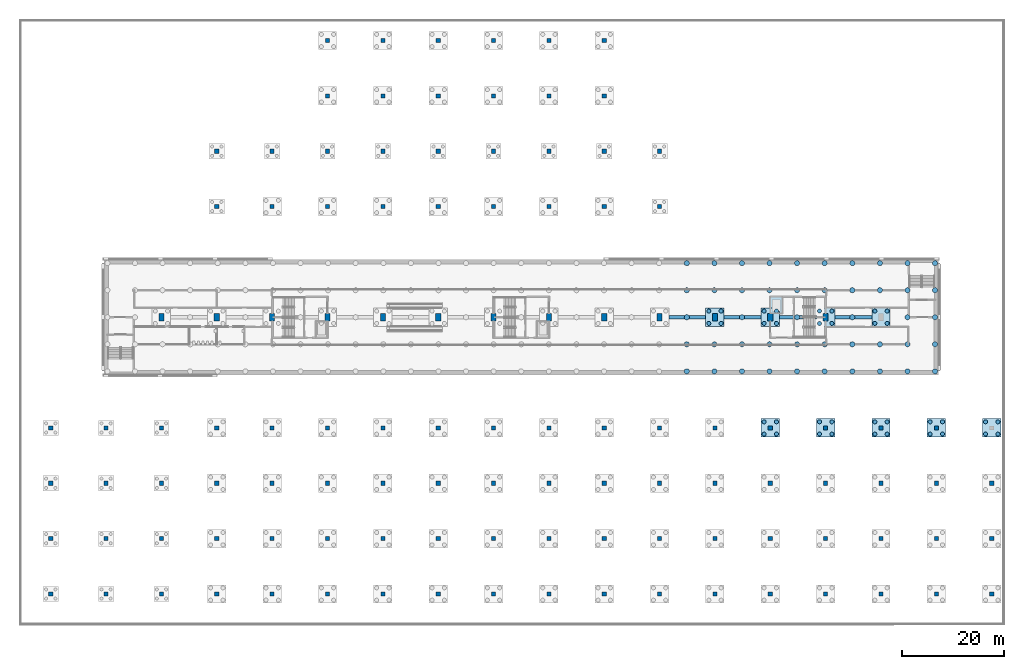
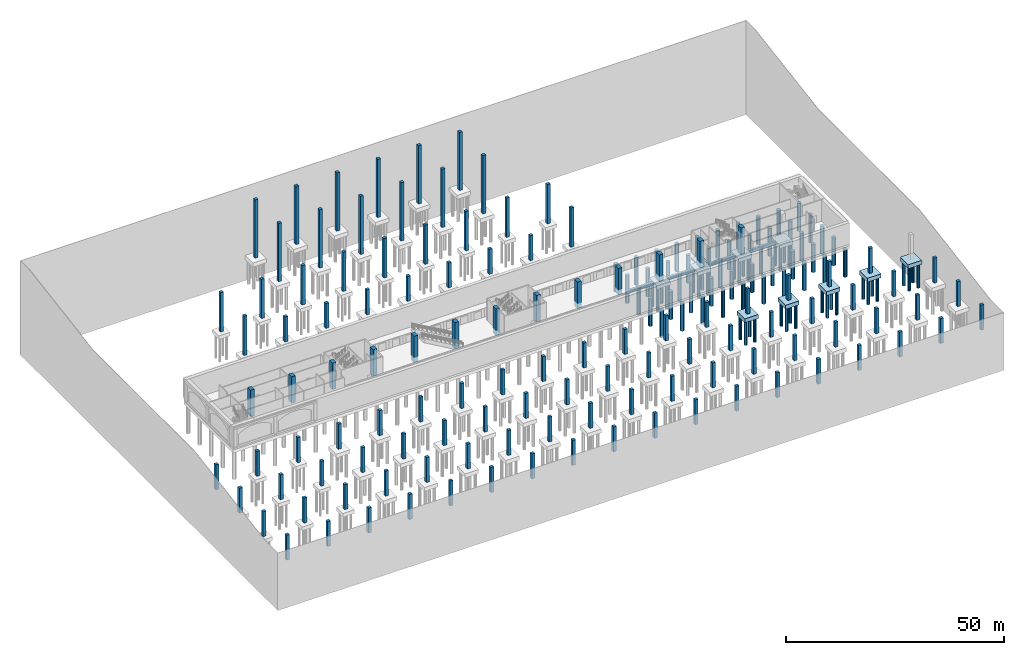
# One storey, part 4 of 39: 114 columns, 82 piles, 14 footings.
"""IFC4 building model written with IfcOpenShell, lengths in metres."""

from ifc_helpers import new_model, si_unit, direction, frame, origin, origin_2d, place, context, subcontext, project, spatial, polyline, rectangle, circle, outline, extrude, material, layer, layer_set, material_profile, profile_set, type_object, element, save


model = new_model("IFC4")

# Units and contexts
model_context = context("Model", 3, precision=1e-05, world=origin(), true_north=direction((0.0, 1.0)))
body_context = subcontext(model_context, "Body", "Model", "MODEL_VIEW")
ifc_project = project(units=[si_unit("LENGTHUNIT", "METRE"), si_unit("AREAUNIT", "SQUARE_METRE"), si_unit("VOLUMEUNIT", "CUBIC_METRE"), si_unit("PLANEANGLEUNIT", "RADIAN"), si_unit("MASSUNIT", "GRAM", prefix="KILO")], contexts=[model_context])

# Site, building, storey
site_placement = place(None, origin())
site = spatial("IfcSite", under=ifc_project, at=site_placement, CompositionType="ELEMENT")
building_placement = place(site_placement, origin())
building = spatial("IfcBuilding", under=site, at=building_placement, Name="Magnolia Steps Interchange", CompositionType="ELEMENT")
storey_placement = place(building_placement, frame((0.0, 0.0, -11.39990234375)))
storey = spatial("IfcBuildingStorey", under=building, at=storey_placement, Name="B2", CompositionType="ELEMENT", Elevation=-11.39990234375)

# Piles
ifc_material_1 = material(Name="Concrete C35", Category="concrete")
ifc_material_profile_1 = material_profile(ifc_material_1, circle(Radius=0.5, at=origin_2d()), Name="Bored pile 1000")
ifc_profile_set_1 = profile_set([ifc_material_profile_1], Name="Concrete C35")
pile_type_1 = type_object("IfcPileType", Name="Bored pile 1000", PredefinedType="BORED", material=ifc_profile_set_1)
for number, where, z_axis, x_axis, name in (
    (1, (134.10009765625, 53.449951171875, -1.300048828125), (0.0, 0.0, -1.0), (1.0, 0.0, 0.0), "Raft pile 22-1"),
    (2, (134.10009765625, 58.72509765625, -1.300048828125), (0.0, 0.0, -1.0), (1.0, 0.0, 0.0), "Raft pile 22-2"),
    (3, (134.10009765625, 64.0, -1.300048828125), (0.0, 0.0, -1.0), (1.0, 0.0, 0.0), "Raft pile 22-3"),
    (4, (134.10009765625, 69.27490234375, -1.300048828125), (0.0, 0.0, -1.0), (1.0, 0.0, 0.0), "Raft pile 22-4"),
    (5, (134.10009765625, 74.550048828125, -1.300048828125), (0.0, 0.0, -1.0), (1.0, 0.0, 0.0), "Raft pile 22-5"),
    (6, (139.4833984375, 53.449951171875, -1.300048828125), (0.0, 0.0, -1.0), (1.0, 0.0, 0.0), "Raft pile 23-1"),
    (7, (139.4833984375, 58.72509765625, -1.300048828125), (0.0, 0.0, -1.0), (1.0, 0.0, 0.0), "Raft pile 23-2"),
    (8, (139.4833984375, 69.27490234375, -1.300048828125), (0.0, 0.0, -1.0), (1.0, 0.0, 0.0), "Raft pile 23-4"),
    (9, (139.4833984375, 74.550048828125, -1.300048828125), (0.0, 0.0, -1.0), (1.0, 0.0, 0.0), "Raft pile 23-5"),
    (10, (144.86669921875, 53.449951171875, -1.300048828125), (0.0, 0.0, -1.0), (1.0, 0.0, 0.0), "Raft pile 24-1"),
    (11, (144.86669921875, 58.72509765625, -1.300048828125), (0.0, 0.0, -1.0), (1.0, 0.0, 0.0), "Raft pile 24-2"),
    (12, (144.86669921875, 64.0, -1.300048828125), (0.0, 0.0, -1.0), (1.0, 0.0, 0.0), "Raft pile 24-3"),
    (13, (144.86669921875, 69.27490234375, -1.300048828125), (0.0, 0.0, -1.0), (1.0, 0.0, 0.0), "Raft pile 24-4"),
    (14, (144.86669921875, 74.550048828125, -1.300048828125), (0.0, 0.0, -1.0), (1.0, 0.0, 0.0), "Raft pile 24-5"),
    (15, (150.25, 53.449951171875, -1.300048828125), (0.0, 0.0, -1.0), (1.0, 0.0, 0.0), "Raft pile 25-1"),
    (16, (150.25, 58.72509765625, -1.300048828125), (0.0, 0.0, -1.0), (1.0, 0.0, 0.0), "Raft pile 25-2"),
    (17, (150.25, 69.27490234375, -1.300048828125), (0.0, 0.0, -1.0), (1.0, 0.0, 0.0), "Raft pile 25-4"),
    (18, (150.25, 74.550048828125, -1.300048828125), (0.0, 0.0, -1.0), (1.0, 0.0, 0.0), "Raft pile 25-5"),
    (19, (155.63330078125, 53.449951171875, -1.300048828125), (0.0, 0.0, -1.0), (1.0, 0.0, 0.0), "Raft pile 26-1"),
    (20, (155.63330078125, 58.72509765625, -1.300048828125), (0.0, 0.0, -1.0), (1.0, 0.0, 0.0), "Raft pile 26-2"),
    (21, (155.63330078125, 64.0, -1.300048828125), (0.0, 0.0, -1.0), (1.0, 0.0, 0.0), "Raft pile 26-3"),
    (22, (155.63330078125, 69.27490234375, -1.300048828125), (0.0, 0.0, -1.0), (1.0, 0.0, 0.0), "Raft pile 26-4"),
    (23, (155.63330078125, 74.550048828125, -1.300048828125), (0.0, 0.0, -1.0), (1.0, 0.0, 0.0), "Raft pile 26-5"),
    (24, (161.0166015625, 53.449951171875, -1.300048828125), (0.0, 0.0, -1.0), (1.0, 0.0, 0.0), "Raft pile 27-1"),
    (25, (161.0166015625, 58.72509765625, -1.300048828125), (0.0, 0.0, -1.0), (1.0, 0.0, 0.0), "Raft pile 27-2"),
    (26, (161.0166015625, 69.27490234375, -1.300048828125), (0.0, 0.0, -1.0), (1.0, 0.0, 0.0), "Raft pile 27-4"),
    (27, (161.0166015625, 74.550048828125, -1.300048828125), (0.0, 0.0, -1.0), (1.0, 0.0, 0.0), "Raft pile 27-5"),
    (28, (166.39990234375, 53.449951171875, -1.300048828125), (0.0, 0.0, -1.0), (1.0, 0.0, 0.0), "Raft pile 28-1"),
    (29, (166.39990234375, 58.72509765625, -1.300048828125), (0.0, 0.0, -1.0), (1.0, 0.0, 0.0), "Raft pile 28-2"),
    (30, (166.39990234375, 64.0, -1.300048828125), (0.0, 0.0, -1.0), (1.0, 0.0, 0.0), "Raft pile 28-3"),
    (31, (166.39990234375, 69.27490234375, -1.300048828125), (0.0, 0.0, -1.0), (1.0, 0.0, 0.0), "Raft pile 28-4"),
    (32, (166.39990234375, 74.550048828125, -1.300048828125), (0.0, 0.0, -1.0), (1.0, 0.0, 0.0), "Raft pile 28-5"),
    (33, (171.783203125, 53.449951171875, -1.300048828125), (0.0, 0.0, -1.0), (1.0, 0.0, 0.0), "Raft pile 29-1"),
    (34, (171.783203125, 58.72509765625, -1.300048828125), (0.0, 0.0, -1.0), (1.0, 0.0, 0.0), "Raft pile 29-2"),
    (35, (171.783203125, 69.27490234375, -1.300048828125), (0.0, 0.0, -1.0), (1.0, 0.0, 0.0), "Raft pile 29-4"),
    (36, (171.783203125, 74.550048828125, -1.300048828125), (0.0, 0.0, -1.0), (1.0, 0.0, 0.0), "Raft pile 29-5"),
    (37, (177.166748046875, 53.449951171875, -1.300048828125), (0.0, 0.0, -1.0), (1.0, 0.0, 0.0), "Raft pile 30-1"),
    (38, (177.166748046875, 58.72509765625, -1.300048828125), (0.0, 0.0, -1.0), (1.0, 0.0, 0.0), "Raft pile 30-2"),
    (39, (177.166748046875, 64.0, -1.300048828125), (0.0, 0.0, -1.0), (1.0, 0.0, 0.0), "Raft pile 30-3"),
    (40, (177.166748046875, 69.27490234375, -1.300048828125), (0.0, 0.0, -1.0), (1.0, 0.0, 0.0), "Raft pile 30-4"),
    (41, (177.166748046875, 74.550048828125, -1.300048828125), (0.0, 0.0, -1.0), (1.0, 0.0, 0.0), "Raft pile 30-5"),
    (42, (182.550048828125, 53.449951171875, -1.300048828125), (0.0, 0.0, -1.0), (1.0, 0.0, 0.0), "Raft pile 31-1"),
    (43, (182.550048828125, 58.72509765625, -1.300048828125), (0.0, 0.0, -1.0), (1.0, 0.0, 0.0), "Raft pile 31-2"),
    (44, (182.550048828125, 64.0, -1.300048828125), (0.0, 0.0, -1.0), (1.0, 0.0, 0.0), "Raft pile 31-3"),
    (45, (182.550048828125, 69.27490234375, -1.300048828125), (0.0, 0.0, -1.0), (1.0, 0.0, 0.0), "Raft pile 31-4"),
    (46, (182.550048828125, 74.550048828125, -1.300048828125), (0.0, 0.0, -1.0), (1.0, 0.0, 0.0), "Raft pile 31-5"),
):
    element("IfcPile", number, at=place(storey_placement, frame(where, z_axis=z_axis, x_axis=x_axis)), inside=storey, type_object=pile_type_1, Name=name, PredefinedType="BORED", context=body_context, shape_type="SweptSolid", body=[
        extrude(circle(Radius=0.5, at=origin_2d()), origin(), (0.0, 0.0, 1.0), 7.800048828125),
    ])
ifc_material_2 = material(Name="Concrete C35", Category="concrete")
ifc_material_profile_2 = material_profile(ifc_material_2, circle(Radius=0.39990234375, at=origin_2d()), Name="Bored pile 800")
ifc_profile_set_2 = profile_set([ifc_material_profile_2], Name="Concrete C35")
pile_type_2 = type_object("IfcPileType", Name="Bored pile 800", PredefinedType="BORED", material=ifc_profile_set_2)
for number, where, z_axis, x_axis, name in (
    (47, (138.39990234375, 62.800048828125, -2.400146484375), (0.0, 0.0, -1.0), (1.0, 0.0, 0.0), "Bored pile 139.6-64.0-1"),
    (48, (140.800048828125, 62.800048828125, -2.400146484375), (0.0, 0.0, -1.0), (1.0, 0.0, 0.0), "Bored pile 139.6-64.0-2"),
    (49, (140.800048828125, 65.199951171875, -2.400146484375), (0.0, 0.0, -1.0), (1.0, 0.0, 0.0), "Bored pile 139.6-64.0-3"),
    (50, (138.39990234375, 65.199951171875, -2.400146484375), (0.0, 0.0, -1.0), (1.0, 0.0, 0.0), "Bored pile 139.6-64.0-4"),
    (51, (149.199951171875, 62.800048828125, -2.400146484375), (0.0, 0.0, -1.0), (1.0, 0.0, 0.0), "Bored pile 150.4-64.0-1"),
    (52, (151.60009765625, 62.800048828125, -2.400146484375), (0.0, 0.0, -1.0), (1.0, 0.0, 0.0), "Bored pile 150.4-64.0-2"),
    (53, (151.60009765625, 65.199951171875, -2.400146484375), (0.0, 0.0, -1.0), (1.0, 0.0, 0.0), "Bored pile 150.4-64.0-3"),
    (54, (149.199951171875, 65.199951171875, -2.400146484375), (0.0, 0.0, -1.0), (1.0, 0.0, 0.0), "Bored pile 150.4-64.0-4"),
    (55, (160.0, 62.800048828125, -2.400146484375), (0.0, 0.0, -1.0), (1.0, 0.0, 0.0), "Bored pile 161.2-64.0-1"),
    (56, (162.39990234375, 62.800048828125, -2.400146484375), (0.0, 0.0, -1.0), (1.0, 0.0, 0.0), "Bored pile 161.2-64.0-2"),
    (57, (162.39990234375, 65.199951171875, -2.400146484375), (0.0, 0.0, -1.0), (1.0, 0.0, 0.0), "Bored pile 161.2-64.0-3"),
    (58, (160.0, 65.199951171875, -2.400146484375), (0.0, 0.0, -1.0), (1.0, 0.0, 0.0), "Bored pile 161.2-64.0-4"),
    (59, (170.800048828125, 62.800048828125, -2.400146484375), (0.0, 0.0, -1.0), (1.0, 0.0, 0.0), "Bored pile 172.0-64.0-1"),
    (60, (173.199951171875, 62.800048828125, -2.400146484375), (0.0, 0.0, -1.0), (1.0, 0.0, 0.0), "Bored pile 172.0-64.0-2"),
    (61, (173.199951171875, 65.199951171875, -2.400146484375), (0.0, 0.0, -1.0), (1.0, 0.0, 0.0), "Bored pile 172.0-64.0-3"),
    (62, (170.800048828125, 65.199951171875, -2.400146484375), (0.0, 0.0, -1.0), (1.0, 0.0, 0.0), "Bored pile 172.0-64.0-4"),
    (63, (149.199951171875, 41.199951171875, -2.400146484375), (0.0, 0.0, -1.0), (1.0, 0.0, 0.0), "Bored pile 150.4-42.4-1"),
    (64, (151.60009765625, 41.199951171875, -2.400146484375), (0.0, 0.0, -1.0), (1.0, 0.0, 0.0), "Bored pile 150.4-42.4-2"),
    (65, (151.60009765625, 43.60009765625, -2.400146484375), (0.0, 0.0, -1.0), (1.0, 0.0, 0.0), "Bored pile 150.4-42.4-3"),
    (66, (149.199951171875, 43.60009765625, -2.400146484375), (0.0, 0.0, -1.0), (1.0, 0.0, 0.0), "Bored pile 150.4-42.4-4"),
    (67, (160.0, 41.199951171875, -2.400146484375), (0.0, 0.0, -1.0), (1.0, 0.0, 0.0), "Bored pile 161.2-42.4-1"),
    (68, (162.39990234375, 41.199951171875, -2.400146484375), (0.0, 0.0, -1.0), (1.0, 0.0, 0.0), "Bored pile 161.2-42.4-2"),
    (69, (162.39990234375, 43.60009765625, -2.400146484375), (0.0, 0.0, -1.0), (1.0, 0.0, 0.0), "Bored pile 161.2-42.4-3"),
    (70, (160.0, 43.60009765625, -2.400146484375), (0.0, 0.0, -1.0), (1.0, 0.0, 0.0), "Bored pile 161.2-42.4-4"),
    (71, (170.800048828125, 41.199951171875, -2.400146484375), (0.0, 0.0, -1.0), (1.0, 0.0, 0.0), "Bored pile 172.0-42.4-1"),
    (72, (173.199951171875, 41.199951171875, -2.400146484375), (0.0, 0.0, -1.0), (1.0, 0.0, 0.0), "Bored pile 172.0-42.4-2"),
    (73, (173.199951171875, 43.60009765625, -2.400146484375), (0.0, 0.0, -1.0), (1.0, 0.0, 0.0), "Bored pile 172.0-42.4-3"),
    (74, (170.800048828125, 43.60009765625, -2.400146484375), (0.0, 0.0, -1.0), (1.0, 0.0, 0.0), "Bored pile 172.0-42.4-4"),
    (75, (181.60009765625, 41.199951171875, -2.400146484375), (0.0, 0.0, -1.0), (1.0, 0.0, 0.0), "Bored pile 182.8-42.4-1"),
    (76, (184.0, 41.199951171875, -2.400146484375), (0.0, 0.0, -1.0), (1.0, 0.0, 0.0), "Bored pile 182.8-42.4-2"),
    (77, (184.0, 43.60009765625, -2.400146484375), (0.0, 0.0, -1.0), (1.0, 0.0, 0.0), "Bored pile 182.8-42.4-3"),
    (78, (181.60009765625, 43.60009765625, -2.400146484375), (0.0, 0.0, -1.0), (1.0, 0.0, 0.0), "Bored pile 182.8-42.4-4"),
    (79, (192.39990234375, 41.199951171875, -2.400146484375), (0.0, 0.0, -1.0), (1.0, 0.0, 0.0), "Bored pile 193.6-42.4-1"),
    (80, (194.800048828125, 41.199951171875, -2.400146484375), (0.0, 0.0, -1.0), (1.0, 0.0, 0.0), "Bored pile 193.6-42.4-2"),
    (81, (194.800048828125, 43.60009765625, -2.400146484375), (0.0, 0.0, -1.0), (1.0, 0.0, 0.0), "Bored pile 193.6-42.4-3"),
    (82, (192.39990234375, 43.60009765625, -2.400146484375), (0.0, 0.0, -1.0), (1.0, 0.0, 0.0), "Bored pile 193.6-42.4-4"),
):
    element("IfcPile", number, at=place(storey_placement, frame(where, z_axis=z_axis, x_axis=x_axis)), inside=storey, type_object=pile_type_2, Name=name, PredefinedType="BORED", context=body_context, shape_type="SweptSolid", body=[
        extrude(circle(Radius=0.39990234375, at=origin_2d()), origin(), (0.0, 0.0, 1.0), 6.699951171875),
    ])

# Footings
ifc_material_3 = material(Name="Concrete C40", Category="concrete")
ifc_material_profile_3 = material_profile(ifc_material_3, rectangle(XDim=0.60009765625, YDim=0.800048828125, at=origin_2d()), Name="RC600x800")
ifc_profile_set_3 = profile_set([ifc_material_profile_3], Name="Concrete C40")
footing_type_1 = type_object("IfcFootingType", Name="Ground beam 600 x 800", PredefinedType="FOOTING_BEAM", material=ifc_profile_set_3)
footing_1_placement = place(storey_placement, frame((130.60009765625, 64.0, -1.800048828125), z_axis=(1.0, 0.0, 0.0), x_axis=(0.0, 1.0, 0.0)))
element("IfcFooting", 83, at=footing_1_placement, inside=storey, type_object=footing_type_1, Name="Ground beam", PredefinedType="FOOTING_BEAM", context=body_context, shape_type="SweptSolid", body=[
    extrude(rectangle(XDim=0.60009765625, YDim=0.800048828125, at=origin_2d()), origin(), (0.0, 0.0, 1.0), 7.199951171875),
])
footing_2_placement = place(storey_placement, frame((141.39990234375, 64.0, -1.800048828125), z_axis=(1.0, 0.0, 0.0), x_axis=(0.0, 1.0, 0.0)))
element("IfcFooting", 84, at=footing_2_placement, inside=storey, type_object=footing_type_1, Name="Ground beam", PredefinedType="FOOTING_BEAM", context=body_context, shape_type="SweptSolid", body=[
    extrude(rectangle(XDim=0.60009765625, YDim=0.800048828125, at=origin_2d()), origin(), (0.0, 0.0, 1.0), 7.2001953125),
])
for number, where, z_axis, x_axis, name in (
    (85, (152.199951171875, 64.0, -1.800048828125), (1.0, 0.0, 0.0), (0.0, 1.0, 0.0), "Ground beam"),
    (86, (163.0, 64.0, -1.800048828125), (1.0, 0.0, 0.0), (0.0, 1.0, 0.0), "Ground beam"),
):
    element("IfcFooting", number, at=place(storey_placement, frame(where, z_axis=z_axis, x_axis=x_axis)), inside=storey, type_object=footing_type_1, Name=name, PredefinedType="FOOTING_BEAM", context=body_context, shape_type="SweptSolid", body=[
        extrude(rectangle(XDim=0.60009765625, YDim=0.800048828125, at=origin_2d()), origin(), (0.0, 0.0, 1.0), 7.199951171875),
    ])
ifc_material_4 = material(Name="Concrete C40", Category="concrete")
ifc_layer = layer(ifc_material_4, 0.39990234375)
ifc_layer_set = layer_set([ifc_layer], Name="Lift pit foundation 400")
footing_type_2 = type_object("IfcFootingType", Name="Lift pit foundation 400", PredefinedType="PAD_FOOTING", material=ifc_layer_set)
footing_3_placement = place(storey_placement, frame((0.0, 0.0, -2.0)))
element("IfcFooting", 87, at=footing_3_placement, inside=storey, type_object=footing_type_2, Name="Lift pit foundation PC3", PredefinedType="PAD_FOOTING", context=body_context, shape_type="SweptSolid", body=[
    extrude(outline(polyline([(150.27490234375, 68.125), (150.27490234375, 65.800048828125), (152.199951171875, 65.800048828125), (152.199951171875, 64.675048828125), (152.875, 64.675048828125), (152.875, 68.125), (150.27490234375, 68.125)])), origin(), (0.0, 0.0, 1.0), 0.39990234375),
])
ifc_material_5 = material(Name="Concrete C40", Category="concrete")
footing_type_3 = type_object("IfcFootingType", Name="Pile cap 3600 x 3600 x 1100", PredefinedType="PILE_CAP", material=ifc_material_5)
for number, where, z_axis, x_axis, name in (
    (88, (139.60009765625, 64.0, -2.500244140625), (0.0, 0.0, 1.0), (1.0, 0.0, 0.0), "Pile cap 139.6-64.0"),
    (89, (150.39990234375, 64.0, -2.500244140625), (0.0, 0.0, 1.0), (1.0, 0.0, 0.0), "Pile cap 150.4-64.0"),
    (90, (161.199951171875, 64.0, -2.500244140625), (0.0, 0.0, 1.0), (1.0, 0.0, 0.0), "Pile cap 161.2-64.0"),
    (91, (172.0, 64.0, -2.500244140625), (0.0, 0.0, 1.0), (1.0, 0.0, 0.0), "Pile cap 172.0-64.0"),
    (92, (150.39990234375, 42.39990234375, -2.500244140625), (0.0, 0.0, 1.0), (1.0, 0.0, 0.0), "Pile cap 150.4-42.4"),
    (93, (161.199951171875, 42.39990234375, -2.500244140625), (0.0, 0.0, 1.0), (1.0, 0.0, 0.0), "Pile cap 161.2-42.4"),
    (94, (172.0, 42.39990234375, -2.500244140625), (0.0, 0.0, 1.0), (1.0, 0.0, 0.0), "Pile cap 172.0-42.4"),
    (95, (182.800048828125, 42.39990234375, -2.500244140625), (0.0, 0.0, 1.0), (1.0, 0.0, 0.0), "Pile cap 182.8-42.4"),
    (96, (193.60009765625, 42.39990234375, -2.500244140625), (0.0, 0.0, 1.0), (1.0, 0.0, 0.0), "Pile cap 193.6-42.4"),
):
    element("IfcFooting", number, at=place(storey_placement, frame(where, z_axis=z_axis, x_axis=x_axis)), inside=storey, type_object=footing_type_3, Name=name, PredefinedType="PILE_CAP", context=body_context, shape_type="SweptSolid", body=[
        extrude(rectangle(XDim=3.60009765625, YDim=3.60009765625, at=origin_2d()), origin(), (0.0, 0.0, 1.0), 1.10009765625),
    ])

# Columns
ifc_material_6 = material(Name="Concrete C40", Category="concrete")
ifc_material_profile_4 = material_profile(ifc_material_6, rectangle(XDim=0.800048828125, YDim=0.800048828125, at=origin_2d()), Name="RC800x800")
ifc_profile_set_4 = profile_set([ifc_material_profile_4], Name="Concrete C40")
column_type_1 = type_object("IfcColumnType", Name="Foundation pier 800x800", PredefinedType="COLUMN", material=ifc_profile_set_4)
for number, where, z_axis, x_axis, name in (
    (97, (42.39990234375, 42.39990234375, -1.400146484375), (0.0, 0.0, 1.0), (1.0, 0.0, 0.0), "Foundation pier CON-4D"),
    (98, (53.199951171875, 42.39990234375, -1.400146484375), (0.0, 0.0, 1.0), (1.0, 0.0, 0.0), "Foundation pier CON-5D"),
    (99, (64.0, 42.39990234375, -1.400146484375), (0.0, 0.0, 1.0), (1.0, 0.0, 0.0), "Foundation pier CON-6D"),
    (100, (74.800048828125, 42.39990234375, -1.400146484375), (0.0, 0.0, 1.0), (1.0, 0.0, 0.0), "Foundation pier CON-7D"),
    (101, (85.60009765625, 42.39990234375, -1.400146484375), (0.0, 0.0, 1.0), (1.0, 0.0, 0.0), "Foundation pier CON-8D"),
    (102, (96.39990234375, 42.39990234375, -1.400146484375), (0.0, 0.0, 1.0), (1.0, 0.0, 0.0), "Foundation pier CON-9D"),
    (103, (107.199951171875, 42.39990234375, -1.400146484375), (0.0, 0.0, 1.0), (1.0, 0.0, 0.0), "Foundation pier CON-10D"),
    (104, (118.0, 42.39990234375, -1.400146484375), (0.0, 0.0, 1.0), (1.0, 0.0, 0.0), "Foundation pier CON-11D"),
    (105, (128.800048828125, 42.39990234375, -1.400146484375), (0.0, 0.0, 1.0), (1.0, 0.0, 0.0), "Foundation pier CON-12D"),
    (106, (139.60009765625, 42.39990234375, -1.400146484375), (0.0, 0.0, 1.0), (1.0, 0.0, 0.0), "Foundation pier CON-13D"),
    (107, (150.39990234375, 42.39990234375, -1.400146484375), (0.0, 0.0, 1.0), (1.0, 0.0, 0.0), "Foundation pier CON-14D"),
    (108, (161.199951171875, 42.39990234375, -1.400146484375), (0.0, 0.0, 1.0), (1.0, 0.0, 0.0), "Foundation pier CON-15D"),
    (109, (172.0, 42.39990234375, -1.400146484375), (0.0, 0.0, 1.0), (1.0, 0.0, 0.0), "Foundation pier CON-16D"),
    (110, (182.800048828125, 42.39990234375, -1.400146484375), (0.0, 0.0, 1.0), (1.0, 0.0, 0.0), "Foundation pier CON-17D"),
    (111, (42.39990234375, 10.0, -1.400146484375), (0.0, 0.0, 1.0), (1.0, 0.0, 0.0), "Foundation pier COV-4A"),
    (112, (42.39990234375, 20.800048828125, -1.400146484375), (0.0, 0.0, 1.0), (1.0, 0.0, 0.0), "Foundation pier COV-4B"),
    (113, (42.39990234375, 31.60009765625, -1.400146484375), (0.0, 0.0, 1.0), (1.0, 0.0, 0.0), "Foundation pier COV-4C"),
    (114, (53.199951171875, 10.0, -1.400146484375), (0.0, 0.0, 1.0), (1.0, 0.0, 0.0), "Foundation pier COV-5A"),
    (115, (53.199951171875, 20.800048828125, -1.400146484375), (0.0, 0.0, 1.0), (1.0, 0.0, 0.0), "Foundation pier COV-5B"),
    (116, (53.199951171875, 31.60009765625, -1.400146484375), (0.0, 0.0, 1.0), (1.0, 0.0, 0.0), "Foundation pier COV-5C"),
    (117, (64.0, 10.0, -1.400146484375), (0.0, 0.0, 1.0), (1.0, 0.0, 0.0), "Foundation pier COV-6A"),
    (118, (64.0, 20.800048828125, -1.400146484375), (0.0, 0.0, 1.0), (1.0, 0.0, 0.0), "Foundation pier COV-6B"),
    (119, (64.0, 31.60009765625, -1.400146484375), (0.0, 0.0, 1.0), (1.0, 0.0, 0.0), "Foundation pier COV-6C"),
    (120, (74.800048828125, 10.0, -1.400146484375), (0.0, 0.0, 1.0), (1.0, 0.0, 0.0), "Foundation pier COV-7A"),
    (121, (74.800048828125, 20.800048828125, -1.400146484375), (0.0, 0.0, 1.0), (1.0, 0.0, 0.0), "Foundation pier COV-7B"),
    (122, (74.800048828125, 31.60009765625, -1.400146484375), (0.0, 0.0, 1.0), (1.0, 0.0, 0.0), "Foundation pier COV-7C"),
    (123, (85.60009765625, 10.0, -1.400146484375), (0.0, 0.0, 1.0), (1.0, 0.0, 0.0), "Foundation pier COV-8A"),
    (124, (85.60009765625, 20.800048828125, -1.400146484375), (0.0, 0.0, 1.0), (1.0, 0.0, 0.0), "Foundation pier COV-8B"),
    (125, (85.60009765625, 31.60009765625, -1.400146484375), (0.0, 0.0, 1.0), (1.0, 0.0, 0.0), "Foundation pier COV-8C"),
    (126, (96.39990234375, 10.0, -1.400146484375), (0.0, 0.0, 1.0), (1.0, 0.0, 0.0), "Foundation pier COV-9A"),
    (127, (96.39990234375, 20.800048828125, -1.400146484375), (0.0, 0.0, 1.0), (1.0, 0.0, 0.0), "Foundation pier COV-9B"),
    (128, (96.39990234375, 31.60009765625, -1.400146484375), (0.0, 0.0, 1.0), (1.0, 0.0, 0.0), "Foundation pier COV-9C"),
    (129, (107.199951171875, 10.0, -1.400146484375), (0.0, 0.0, 1.0), (1.0, 0.0, 0.0), "Foundation pier COV-10A"),
    (130, (107.199951171875, 20.800048828125, -1.400146484375), (0.0, 0.0, 1.0), (1.0, 0.0, 0.0), "Foundation pier COV-10B"),
    (131, (107.199951171875, 31.60009765625, -1.400146484375), (0.0, 0.0, 1.0), (1.0, 0.0, 0.0), "Foundation pier COV-10C"),
    (132, (118.0, 10.0, -1.400146484375), (0.0, 0.0, 1.0), (1.0, 0.0, 0.0), "Foundation pier COV-11A"),
    (133, (118.0, 20.800048828125, -1.400146484375), (0.0, 0.0, 1.0), (1.0, 0.0, 0.0), "Foundation pier COV-11B"),
    (134, (118.0, 31.60009765625, -1.400146484375), (0.0, 0.0, 1.0), (1.0, 0.0, 0.0), "Foundation pier COV-11C"),
    (135, (128.800048828125, 10.0, -1.400146484375), (0.0, 0.0, 1.0), (1.0, 0.0, 0.0), "Foundation pier COV-12A"),
    (136, (128.800048828125, 20.800048828125, -1.400146484375), (0.0, 0.0, 1.0), (1.0, 0.0, 0.0), "Foundation pier COV-12B"),
    (137, (128.800048828125, 31.60009765625, -1.400146484375), (0.0, 0.0, 1.0), (1.0, 0.0, 0.0), "Foundation pier COV-12C"),
    (138, (139.60009765625, 10.0, -1.400146484375), (0.0, 0.0, 1.0), (1.0, 0.0, 0.0), "Foundation pier COV-13A"),
    (139, (139.60009765625, 20.800048828125, -1.400146484375), (0.0, 0.0, 1.0), (1.0, 0.0, 0.0), "Foundation pier COV-13B"),
    (140, (139.60009765625, 31.60009765625, -1.400146484375), (0.0, 0.0, 1.0), (1.0, 0.0, 0.0), "Foundation pier COV-13C"),
    (141, (150.39990234375, 10.0, -1.400146484375), (0.0, 0.0, 1.0), (1.0, 0.0, 0.0), "Foundation pier COV-14A"),
    (142, (150.39990234375, 20.800048828125, -1.400146484375), (0.0, 0.0, 1.0), (1.0, 0.0, 0.0), "Foundation pier COV-14B"),
    (143, (150.39990234375, 31.60009765625, -1.400146484375), (0.0, 0.0, 1.0), (1.0, 0.0, 0.0), "Foundation pier COV-14C"),
    (144, (161.199951171875, 10.0, -1.400146484375), (0.0, 0.0, 1.0), (1.0, 0.0, 0.0), "Foundation pier COV-15A"),
    (145, (161.199951171875, 20.800048828125, -1.400146484375), (0.0, 0.0, 1.0), (1.0, 0.0, 0.0), "Foundation pier COV-15B"),
    (146, (161.199951171875, 31.60009765625, -1.400146484375), (0.0, 0.0, 1.0), (1.0, 0.0, 0.0), "Foundation pier COV-15C"),
    (147, (172.0, 10.0, -1.400146484375), (0.0, 0.0, 1.0), (1.0, 0.0, 0.0), "Foundation pier COV-16A"),
    (148, (172.0, 20.800048828125, -1.400146484375), (0.0, 0.0, 1.0), (1.0, 0.0, 0.0), "Foundation pier COV-16B"),
    (149, (172.0, 31.60009765625, -1.400146484375), (0.0, 0.0, 1.0), (1.0, 0.0, 0.0), "Foundation pier COV-16C"),
    (150, (182.800048828125, 10.0, -1.400146484375), (0.0, 0.0, 1.0), (1.0, 0.0, 0.0), "Foundation pier COV-17A"),
    (151, (182.800048828125, 20.800048828125, -1.400146484375), (0.0, 0.0, 1.0), (1.0, 0.0, 0.0), "Foundation pier COV-17B"),
    (152, (182.800048828125, 31.60009765625, -1.400146484375), (0.0, 0.0, 1.0), (1.0, 0.0, 0.0), "Foundation pier COV-17C"),
    (153, (193.60009765625, 10.0, -1.400146484375), (0.0, 0.0, 1.0), (1.0, 0.0, 0.0), "Foundation pier COV-18A"),
    (154, (193.60009765625, 20.800048828125, -1.400146484375), (0.0, 0.0, 1.0), (1.0, 0.0, 0.0), "Foundation pier COV-18B"),
    (155, (193.60009765625, 31.60009765625, -1.400146484375), (0.0, 0.0, 1.0), (1.0, 0.0, 0.0), "Foundation pier COV-18C"),
    (156, (53.199951171875, 85.60009765625, -1.400146484375), (0.0, 0.0, 1.0), (1.0, 0.0, 0.0), "Foundation pier CON-5H"),
    (157, (64.0, 85.60009765625, -1.400146484375), (0.0, 0.0, 1.0), (1.0, 0.0, 0.0), "Foundation pier CON-6H"),
    (158, (74.800048828125, 85.60009765625, -1.400146484375), (0.0, 0.0, 1.0), (1.0, 0.0, 0.0), "Foundation pier CON-7H"),
    (159, (85.60009765625, 85.60009765625, -1.400146484375), (0.0, 0.0, 1.0), (1.0, 0.0, 0.0), "Foundation pier CON-8H"),
    (160, (96.39990234375, 85.60009765625, -1.400146484375), (0.0, 0.0, 1.0), (1.0, 0.0, 0.0), "Foundation pier CON-9H"),
    (161, (107.199951171875, 85.60009765625, -1.400146484375), (0.0, 0.0, 1.0), (1.0, 0.0, 0.0), "Foundation pier CON-10H"),
    (162, (118.0, 85.60009765625, -1.400146484375), (0.0, 0.0, 1.0), (1.0, 0.0, 0.0), "Foundation pier CON-11H"),
    (163, (10.0, 10.0, -1.400146484375), (0.0, 0.0, 1.0), (1.0, 0.0, 0.0), "Foundation pier CYC-1A"),
    (164, (10.0, 20.800048828125, -1.400146484375), (0.0, 0.0, 1.0), (1.0, 0.0, 0.0), "Foundation pier CYC-1B"),
    (165, (10.0, 31.60009765625, -1.400146484375), (0.0, 0.0, 1.0), (1.0, 0.0, 0.0), "Foundation pier CYC-1C"),
    (166, (10.0, 42.39990234375, -1.400146484375), (0.0, 0.0, 1.0), (1.0, 0.0, 0.0), "Foundation pier CYC-1D"),
    (167, (20.800048828125, 10.0, -1.400146484375), (0.0, 0.0, 1.0), (1.0, 0.0, 0.0), "Foundation pier CYC-2A"),
    (168, (20.800048828125, 20.800048828125, -1.400146484375), (0.0, 0.0, 1.0), (1.0, 0.0, 0.0), "Foundation pier CYC-2B"),
    (169, (20.800048828125, 31.60009765625, -1.400146484375), (0.0, 0.0, 1.0), (1.0, 0.0, 0.0), "Foundation pier CYC-2C"),
    (170, (20.800048828125, 42.39990234375, -1.400146484375), (0.0, 0.0, 1.0), (1.0, 0.0, 0.0), "Foundation pier CYC-2D"),
    (171, (31.60009765625, 10.0, -1.400146484375), (0.0, 0.0, 1.0), (1.0, 0.0, 0.0), "Foundation pier CYC-3A"),
    (172, (31.60009765625, 20.800048828125, -1.400146484375), (0.0, 0.0, 1.0), (1.0, 0.0, 0.0), "Foundation pier CYC-3B"),
    (173, (31.60009765625, 31.60009765625, -1.400146484375), (0.0, 0.0, 1.0), (1.0, 0.0, 0.0), "Foundation pier CYC-3C"),
    (174, (31.60009765625, 42.39990234375, -1.400146484375), (0.0, 0.0, 1.0), (1.0, 0.0, 0.0), "Foundation pier CYC-3D"),
):
    element("IfcColumn", number, at=place(storey_placement, frame(where, z_axis=z_axis, x_axis=x_axis)), inside=storey, type_object=column_type_1, Name=name, PredefinedType="COLUMN", context=body_context, shape_type="SweptSolid", body=[
        extrude(rectangle(XDim=0.800048828125, YDim=0.800048828125, at=origin_2d()), origin(), (0.0, 0.0, 1.0), 7.0),
    ])
for number, where, z_axis, x_axis, name in (
    (175, (42.39990234375, 85.60009765625, -1.400146484375), (0.0, 0.0, 1.0), (1.0, 0.0, 0.0), "Foundation pier CON-4H"),
    (176, (42.39990234375, 96.39990234375, -1.400146484375), (0.0, 0.0, 1.0), (1.0, 0.0, 0.0), "Foundation pier CON-4I"),
    (177, (53.199951171875, 96.39990234375, -1.400146484375), (0.0, 0.0, 1.0), (1.0, 0.0, 0.0), "Foundation pier CON-5I"),
    (178, (64.0, 96.39990234375, -1.400146484375), (0.0, 0.0, 1.0), (1.0, 0.0, 0.0), "Foundation pier CON-6I"),
    (179, (74.800048828125, 96.39990234375, -1.400146484375), (0.0, 0.0, 1.0), (1.0, 0.0, 0.0), "Foundation pier CON-7I"),
    (180, (85.60009765625, 96.39990234375, -1.400146484375), (0.0, 0.0, 1.0), (1.0, 0.0, 0.0), "Foundation pier CON-8I"),
    (181, (96.39990234375, 96.39990234375, -1.400146484375), (0.0, 0.0, 1.0), (1.0, 0.0, 0.0), "Foundation pier CON-9I"),
    (182, (107.199951171875, 96.39990234375, -1.400146484375), (0.0, 0.0, 1.0), (1.0, 0.0, 0.0), "Foundation pier CON-10I"),
    (183, (118.0, 96.39990234375, -1.400146484375), (0.0, 0.0, 1.0), (1.0, 0.0, 0.0), "Foundation pier CON-11I"),
    (184, (128.800048828125, 85.60009765625, -1.400146484375), (0.0, 0.0, 1.0), (1.0, 0.0, 0.0), "Foundation pier CON-12H"),
    (185, (128.800048828125, 96.39990234375, -1.400146484375), (0.0, 0.0, 1.0), (1.0, 0.0, 0.0), "Foundation pier CON-12I"),
):
    element("IfcColumn", number, at=place(storey_placement, frame(where, z_axis=z_axis, x_axis=x_axis)), inside=storey, type_object=column_type_1, Name=name, PredefinedType="COLUMN", context=body_context, shape_type="SweptSolid", body=[
        extrude(rectangle(XDim=0.800048828125, YDim=0.800048828125, at=origin_2d()), origin(), (0.0, 0.0, 1.0), 11.0),
    ])
for number, where, z_axis, x_axis, name in (
    (186, (64.0, 107.199951171875, -1.400146484375), (0.0, 0.0, 1.0), (1.0, 0.0, 0.0), "Foundation pier OPE-6J"),
    (187, (64.0, 118.0, -1.400146484375), (0.0, 0.0, 1.0), (1.0, 0.0, 0.0), "Foundation pier OPE-6K"),
    (188, (74.800048828125, 107.199951171875, -1.400146484375), (0.0, 0.0, 1.0), (1.0, 0.0, 0.0), "Foundation pier OPE-7J"),
    (189, (74.800048828125, 118.0, -1.400146484375), (0.0, 0.0, 1.0), (1.0, 0.0, 0.0), "Foundation pier OPE-7K"),
    (190, (85.60009765625, 107.199951171875, -1.400146484375), (0.0, 0.0, 1.0), (1.0, 0.0, 0.0), "Foundation pier OPE-8J"),
    (191, (85.60009765625, 118.0, -1.400146484375), (0.0, 0.0, 1.0), (1.0, 0.0, 0.0), "Foundation pier OPE-8K"),
    (192, (96.39990234375, 107.199951171875, -1.400146484375), (0.0, 0.0, 1.0), (1.0, 0.0, 0.0), "Foundation pier OPE-9J"),
    (193, (96.39990234375, 118.0, -1.400146484375), (0.0, 0.0, 1.0), (1.0, 0.0, 0.0), "Foundation pier OPE-9K"),
    (194, (107.199951171875, 107.199951171875, -1.400146484375), (0.0, 0.0, 1.0), (1.0, 0.0, 0.0), "Foundation pier OPE-10J"),
    (195, (107.199951171875, 118.0, -1.400146484375), (0.0, 0.0, 1.0), (1.0, 0.0, 0.0), "Foundation pier OPE-10K"),
    (196, (118.0, 107.199951171875, -1.400146484375), (0.0, 0.0, 1.0), (1.0, 0.0, 0.0), "Foundation pier OPE-11J"),
    (197, (118.0, 118.0, -1.400146484375), (0.0, 0.0, 1.0), (1.0, 0.0, 0.0), "Foundation pier OPE-11K"),
):
    element("IfcColumn", number, at=place(storey_placement, frame(where, z_axis=z_axis, x_axis=x_axis)), inside=storey, type_object=column_type_1, Name=name, PredefinedType="COLUMN", context=body_context, shape_type="SweptSolid", body=[
        extrude(rectangle(XDim=0.800048828125, YDim=0.800048828125, at=origin_2d()), origin(), (0.0, 0.0, 1.0), 16.300048828125),
    ])
ifc_material_7 = material(Name="Concrete C40", Category="concrete")
ifc_material_profile_5 = material_profile(ifc_material_7, rectangle(XDim=1.0, YDim=1.39990234375, at=origin_2d()), Name="RC1000x1400")
ifc_profile_set_5 = profile_set([ifc_material_profile_5], Name="Concrete C40")
column_type_2 = type_object("IfcColumnType", Name="RC column 1000x1400", PredefinedType="COLUMN", material=ifc_profile_set_5)
for number, where, z_axis, x_axis, name in (
    (198, (31.60009765625, 64.0, -1.400146484375), (0.0, 0.0, 1.0), (1.0, 0.0, 0.0), "Column MET-3F B2"),
    (199, (42.39990234375, 64.0, -1.400146484375), (0.0, 0.0, 1.0), (1.0, 0.0, 0.0), "Column MET-4F B2"),
    (200, (53.199951171875, 64.0, -1.400146484375), (0.0, 0.0, 1.0), (1.0, 0.0, 0.0), "Column MET-5F B2"),
    (201, (64.0, 64.0, -1.400146484375), (0.0, 0.0, 1.0), (1.0, 0.0, 0.0), "Column MET-6F B2"),
    (202, (74.800048828125, 64.0, -1.400146484375), (0.0, 0.0, 1.0), (1.0, 0.0, 0.0), "Column MET-7F B2"),
    (203, (85.60009765625, 64.0, -1.400146484375), (0.0, 0.0, 1.0), (1.0, 0.0, 0.0), "Column MET-8F B2"),
    (204, (96.39990234375, 64.0, -1.400146484375), (0.0, 0.0, 1.0), (1.0, 0.0, 0.0), "Column MET-9F B2"),
    (205, (107.199951171875, 64.0, -1.400146484375), (0.0, 0.0, 1.0), (1.0, 0.0, 0.0), "Column MET-10F B2"),
    (206, (118.0, 64.0, -1.400146484375), (0.0, 0.0, 1.0), (1.0, 0.0, 0.0), "Column MET-11F B2"),
    (207, (128.800048828125, 64.0, -1.400146484375), (0.0, 0.0, 1.0), (1.0, 0.0, 0.0), "Column MET-12F B2"),
    (208, (139.60009765625, 64.0, -1.400146484375), (0.0, 0.0, 1.0), (1.0, 0.0, 0.0), "Column MET-13F B2"),
    (209, (150.39990234375, 64.0, -1.400146484375), (0.0, 0.0, 1.0), (1.0, 0.0, 0.0), "Column MET-14F B2"),
    (210, (161.199951171875, 64.0, -1.400146484375), (0.0, 0.0, 1.0), (1.0, 0.0, 0.0), "Column MET-15F B2"),
):
    element("IfcColumn", number, at=place(storey_placement, frame(where, z_axis=z_axis, x_axis=x_axis)), inside=storey, type_object=column_type_2, Name=name, PredefinedType="COLUMN", context=body_context, shape_type="SweptSolid", body=[
        extrude(rectangle(XDim=1.0, YDim=1.39990234375, at=origin_2d()), origin(), (0.0, 0.0, 1.0), 7.400146484375),
    ])

save(model, "model.ifc")
